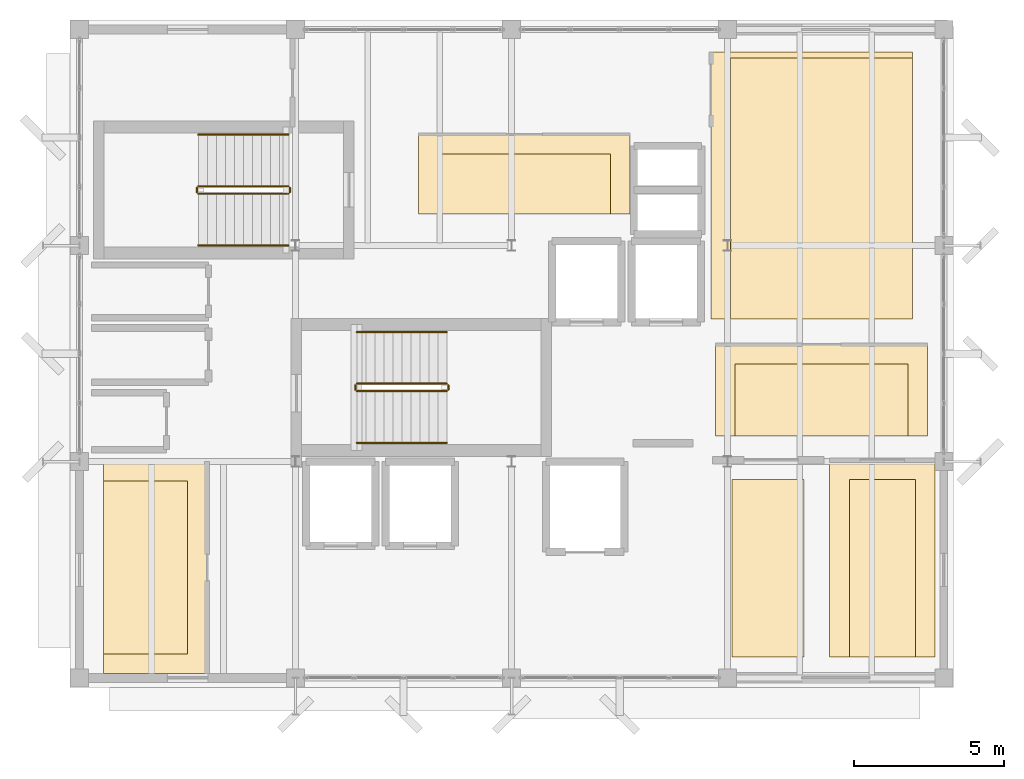
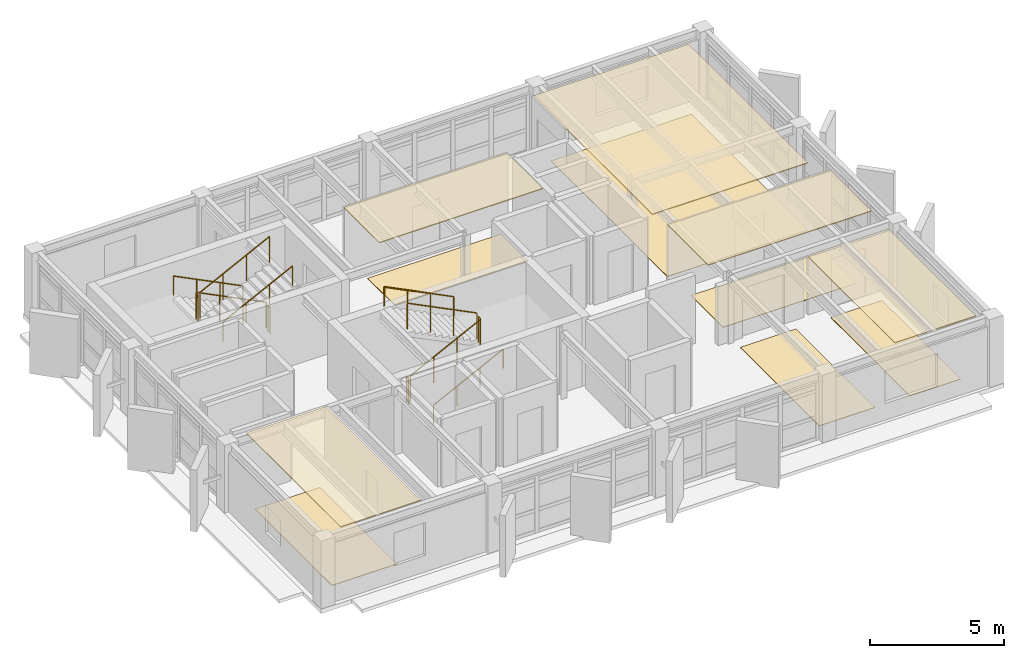
# One storey, part 15 of 15: 12 railings, 11 coverings.
"""IFC4 building model written with IfcOpenShell, lengths in metres."""

from ifc_helpers import new_model, si_unit, direction, frame, origin, origin_2d, place, context, subcontext, project, spatial, polyline, circle, outline, extrude, material, layer, layer_set, type_object, element, save


model = new_model("IFC4")

# Units and contexts
model_context = context("Model", 3, precision=1e-05, world=origin(), true_north=direction((0.0, 1.0)))
body_context = subcontext(model_context, "Body", "Model", "MODEL_VIEW")
ifc_project = project(units=[si_unit("LENGTHUNIT", "METRE"), si_unit("AREAUNIT", "SQUARE_METRE"), si_unit("VOLUMEUNIT", "CUBIC_METRE"), si_unit("PLANEANGLEUNIT", "RADIAN"), si_unit("MASSUNIT", "GRAM", prefix="KILO")], contexts=[model_context])

# Site, building, storey
site_placement = place(None, origin())
site = spatial("IfcSite", under=ifc_project, at=site_placement, CompositionType="ELEMENT")
building_placement = place(site_placement, origin())
building = spatial("IfcBuilding", under=site, at=building_placement, Name="Kandorven Conservatory and Botanical Research Centre", CompositionType="ELEMENT")
storey_placement = place(building_placement, frame((0.0, 0.0, 56.10009765625)))
storey = spatial("IfcBuildingStorey", under=building, at=storey_placement, Name="L14", CompositionType="ELEMENT", Elevation=56.10009765625)

# Coverings
ifc_material_1 = material(Name="Perforated mineral-fibre acoustic ceiling tile", Category="gypsum")
ifc_layer_1 = layer(ifc_material_1, 0.0400390625)
ifc_layer_set_1 = layer_set([ifc_layer_1], Name="Perforated mineral-fibre acoustic ceiling tile")
covering_type_1 = type_object("IfcCoveringType", Name="Cov_Ceiling_1", PredefinedType="CEILING", material=ifc_layer_set_1)
covering_1_placement = place(storey_placement, frame((0.0, 0.0, 3.054931640625)))
element("IfcCovering", 1, at=covering_1_placement, inside=storey, type_object=covering_type_1, Name="Suspended acoustic ceiling CLG-01 (Dryland Flora Research Laboratory L14)", PredefinedType="CEILING", context=body_context, shape_type="SweptSolid", body=[
    extrude(outline(polyline([(17.300048828125, 21.449951171875), (24.35009765625, 21.449951171875), (24.35009765625, 24.10009765625), (17.300048828125, 24.10009765625), (17.300048828125, 21.449951171875)])), origin(), (0.0, 0.0, 1.0), 0.0400390625),
])
covering_2_placement = place(storey_placement, frame((0.0, 0.0, 3.054931640625)))
element("IfcCovering", 2, at=covering_2_placement, inside=storey, type_object=covering_type_1, Name="Suspended acoustic ceiling CLG-01 (Seed Ecology Research Studio L14)", PredefinedType="CEILING", context=body_context, shape_type="SweptSolid", body=[
    extrude(outline(polyline([(27.199951171875, 14.050048828125), (34.25, 14.050048828125), (34.25, 17.10009765625), (27.199951171875, 17.10009765625), (27.199951171875, 14.050048828125)])), origin(), (0.0, 0.0, 1.0), 0.0400390625),
])
covering_3_placement = place(storey_placement, frame((0.0, 0.0, 2.637939453125)))
element("IfcCovering", 3, at=covering_3_placement, inside=storey, type_object=covering_type_1, Name="Suspended acoustic ceiling CLG-01 (Arid Zone Ecology Research Laboratory L14)", PredefinedType="CEILING", context=body_context, shape_type="SweptSolid", body=[
    extrude(outline(polyline([(31.0, 6.699951171875), (34.5, 6.699951171875), (34.5, 13.25), (31.0, 13.25), (31.0, 6.699951171875)])), origin(), (0.0, 0.0, 1.0), 0.0400390625),
])
covering_4_placement = place(storey_placement, frame((0.0, 0.0, 3.054931640625)))
element("IfcCovering", 4, at=covering_4_placement, inside=storey, type_object=covering_type_1, Name="Suspended acoustic ceiling CLG-01 (Botanical GIS and Remote Sensing Laboratory L14)", PredefinedType="CEILING", context=body_context, shape_type="SweptSolid", body=[
    extrude(outline(polyline([(27.050048828125, 17.949951171875), (33.75, 17.949951171875), (33.75, 26.85009765625), (27.050048828125, 26.85009765625), (27.050048828125, 17.949951171875)])), origin(), (0.0, 0.0, 1.0), 0.0400390625),
])
covering_5_placement = place(storey_placement, frame((0.0, 0.0, 3.054931640625)))
element("IfcCovering", 5, at=covering_5_placement, inside=storey, type_object=covering_type_1, Name="Suspended acoustic ceiling CLG-01 (Herbarium Research Seminar Room L14)", PredefinedType="CEILING", context=body_context, shape_type="SweptSolid", body=[
    extrude(outline(polyline([(6.800048828125, 6.14990234375), (10.25, 6.14990234375), (10.25, 13.199951171875), (6.800048828125, 13.199951171875), (6.800048828125, 6.14990234375)])), origin(), (0.0, 0.0, 1.0), 0.0400390625),
])
ifc_material_2 = material(Name="Honed Kota stone and epoxy laboratory flooring", Category="masonry")
ifc_layer_2 = layer(ifc_material_2, 0.02490234375)
ifc_layer_set_2 = layer_set([ifc_layer_2], Name="Honed Kota stone and epoxy laboratory flooring")
covering_type_2 = type_object("IfcCoveringType", Name="Cov_Flooring_1", PredefinedType="FLOORING", material=ifc_layer_set_2)
covering_6_placement = place(storey_placement, origin())
element("IfcCovering", 6, at=covering_6_placement, inside=storey, type_object=covering_type_2, Name="Floor finish FLR-01 (Dryland Flora Research Laboratory L14)", PredefinedType="FLOORING", context=body_context, shape_type="SweptSolid", body=[
    extrude(outline(polyline([(17.949951171875, 21.449951171875), (23.699951171875, 21.449951171875), (23.699951171875, 23.449951171875), (17.949951171875, 23.449951171875), (17.949951171875, 21.449951171875)])), origin(), (0.0, 0.0, 1.0), 0.02490234375),
])
covering_7_placement = place(storey_placement, origin())
element("IfcCovering", 7, at=covering_7_placement, inside=storey, type_object=covering_type_2, Name="Floor finish FLR-01 (Seed Ecology Research Studio L14)", PredefinedType="FLOORING", context=body_context, shape_type="SweptSolid", body=[
    extrude(outline(polyline([(27.85009765625, 14.050048828125), (33.60009765625, 14.050048828125), (33.60009765625, 16.449951171875), (27.85009765625, 16.449951171875), (27.85009765625, 14.050048828125)])), origin(), (0.0, 0.0, 1.0), 0.02490234375),
])
covering_8_placement = place(storey_placement, origin())
element("IfcCovering", 8, at=covering_8_placement, inside=storey, type_object=covering_type_2, Name="Floor finish FLR-01 (Regional Flora Herbarium Archive L14)", PredefinedType="FLOORING", context=body_context, shape_type="SweptSolid", body=[
    extrude(outline(polyline([(27.75, 6.699951171875), (30.14990234375, 6.699951171875), (30.14990234375, 12.60009765625), (27.75, 12.60009765625), (27.75, 6.699951171875)])), origin(), (0.0, 0.0, 1.0), 0.02490234375),
])
covering_9_placement = place(storey_placement, origin())
element("IfcCovering", 9, at=covering_9_placement, inside=storey, type_object=covering_type_2, Name="Floor finish FLR-01 (Arid Zone Ecology Research Laboratory L14)", PredefinedType="FLOORING", context=body_context, shape_type="SweptSolid", body=[
    extrude(outline(polyline([(31.64990234375, 6.699951171875), (33.85009765625, 6.699951171875), (33.85009765625, 12.60009765625), (31.64990234375, 12.60009765625), (31.64990234375, 6.699951171875)])), origin(), (0.0, 0.0, 1.0), 0.02490234375),
])
covering_10_placement = place(storey_placement, origin())
element("IfcCovering", 10, at=covering_10_placement, inside=storey, type_object=covering_type_2, Name="Floor finish FLR-01 (Botanical GIS and Remote Sensing Laboratory L14)", PredefinedType="FLOORING", context=body_context, shape_type="SweptSolid", body=[
    extrude(outline(polyline([(27.699951171875, 17.949951171875), (33.75, 17.949951171875), (33.75, 26.64990234375), (27.699951171875, 26.64990234375), (27.699951171875, 17.949951171875)])), origin(), (0.0, 0.0, 1.0), 0.02490234375),
])
covering_11_placement = place(storey_placement, origin())
element("IfcCovering", 11, at=covering_11_placement, inside=storey, type_object=covering_type_2, Name="Floor finish FLR-01 (Herbarium Research Seminar Room L14)", PredefinedType="FLOORING", context=body_context, shape_type="SweptSolid", body=[
    extrude(outline(polyline([(6.800048828125, 6.800048828125), (9.60009765625, 6.800048828125), (9.60009765625, 12.550048828125), (6.800048828125, 12.550048828125), (6.800048828125, 6.800048828125)])), origin(), (0.0, 0.0, 1.0), 0.02490234375),
])

# Railings
ifc_material_3 = material(Name="Steel S355 (IS 2062 E350)", Category="steel")
railing_type_1 = type_object("IfcRailingType", Name="StairGuard_1150", PredefinedType="BALUSTRADE", material=ifc_material_3)
railing_1_placement = place(storey_placement, frame((15.239990234375, 15.550048828125, 0.14990234375)))
element("IfcRailing", 12, at=railing_1_placement, inside=storey, type_object=railing_type_1, Name="L14 ST-T1 stair guard 1", PredefinedType="BALUSTRADE", context=body_context, shape_type="SweptSolid", body=[
    extrude(circle(Radius=0.02392578125, at=origin_2d()), frame((0.0, 0.0, 1.17578125), z_axis=(0.894427191, 0.0, 0.4472135955), x_axis=(0.0, 1.0, 0.0)), (0.0, 0.0, 1.0), 3.35400390625),
    extrude(circle(Radius=0.02099609375, at=origin_2d()), origin(), (0.0, 0.0, 1.0), 1.15185546875),
    extrude(circle(Radius=0.02099609375, at=origin_2d()), frame((1.0, 0.0, 0.5)), (0.0, 0.0, 1.0), 1.15185546875),
    extrude(circle(Radius=0.02099609375, at=origin_2d()), frame((2.0, 0.0, 1.0)), (0.0, 0.0, 1.0), 1.15185546875),
    extrude(circle(Radius=0.02099609375, at=origin_2d()), frame((3.0, 0.0, 1.5)), (0.0, 0.0, 1.0), 1.15185546875),
])
railing_2_placement = place(storey_placement, frame((18.2900390625, 15.60009765625, 1.64990234375)))
element("IfcRailing", 13, at=railing_2_placement, inside=storey, type_object=railing_type_1, Name="L14 ST-T1 stair guard 2", PredefinedType="BALUSTRADE", context=body_context, shape_type="SweptSolid", body=[
    extrude(circle(Radius=0.02392578125, at=origin_2d()), frame((0.0, 0.0, 1.17578125), z_axis=(0.0, 1.0, 0.0), x_axis=(-1.0, 0.0, 0.0)), (0.0, 0.0, 1.0), 0.14990234375),
    extrude(circle(Radius=0.02099609375, at=origin_2d()), origin(), (0.0, 0.0, 1.0), 1.15185546875),
    extrude(circle(Radius=0.02099609375, at=origin_2d()), frame((0.0, 0.14990234375, 0.0)), (0.0, 0.0, 1.0), 1.15185546875),
])
railing_3_placement = place(storey_placement, frame((18.239990234375, 15.800048828125, 1.7998046875)))
element("IfcRailing", 14, at=railing_3_placement, inside=storey, type_object=railing_type_1, Name="L14 ST-T1 stair guard 3", PredefinedType="BALUSTRADE", context=body_context, shape_type="SweptSolid", body=[
    extrude(circle(Radius=0.02392578125, at=origin_2d()), frame((0.0, 0.0, 1.17578125), z_axis=(-0.894427191, 0.0, 0.4472135955), x_axis=(0.0, -1.0, 0.0)), (0.0, 0.0, 1.0), 3.35400390625),
    extrude(circle(Radius=0.02099609375, at=origin_2d()), origin(), (0.0, 0.0, 1.0), 1.15185546875),
    extrude(circle(Radius=0.02099609375, at=origin_2d()), frame((-1.0, 0.0, 0.5)), (0.0, 0.0, 1.0), 1.15185546875),
    extrude(circle(Radius=0.02099609375, at=origin_2d()), frame((-2.0, 0.0, 1.0)), (0.0, 0.0, 1.0), 1.15185546875),
    extrude(circle(Radius=0.02099609375, at=origin_2d()), frame((-3.0, 0.0, 1.5)), (0.0, 0.0, 1.0), 1.15185546875),
])
railing_4_placement = place(storey_placement, frame((15.18994140625, 15.60009765625, 0.0)))
element("IfcRailing", 15, at=railing_4_placement, inside=storey, type_object=railing_type_1, Name="L14 ST-T1 stair guard 4", PredefinedType="BALUSTRADE", context=body_context, shape_type="SweptSolid", body=[
    extrude(circle(Radius=0.02392578125, at=origin_2d()), frame((0.0, 0.0, 1.17578125), z_axis=(0.0, 1.0, 0.0), x_axis=(-1.0, 0.0, 0.0)), (0.0, 0.0, 1.0), 0.14990234375),
    extrude(circle(Radius=0.02099609375, at=origin_2d()), origin(), (0.0, 0.0, 1.0), 1.15185546875),
    extrude(circle(Radius=0.02099609375, at=origin_2d()), frame((0.0, 0.14990234375, 0.0)), (0.0, 0.0, 1.0), 1.15185546875),
])
railing_5_placement = place(storey_placement, frame((12.9599609375, 22.3798828125, 0.14990234375)))
element("IfcRailing", 16, at=railing_5_placement, inside=storey, type_object=railing_type_1, Name="L14 ST-T2 stair guard 1", PredefinedType="BALUSTRADE", context=body_context, shape_type="SweptSolid", body=[
    extrude(circle(Radius=0.02392578125, at=origin_2d()), frame((0.0, 0.0, 1.17578125), z_axis=(-0.894427191, 0.0, 0.4472135955), x_axis=(0.0, -1.0, 0.0)), (0.0, 0.0, 1.0), 3.35400390625),
    extrude(circle(Radius=0.02099609375, at=origin_2d()), origin(), (0.0, 0.0, 1.0), 1.15185546875),
    extrude(circle(Radius=0.02099609375, at=origin_2d()), frame((-1.0, 0.0, 0.5)), (0.0, 0.0, 1.0), 1.15185546875),
    extrude(circle(Radius=0.02099609375, at=origin_2d()), frame((-2.0, 0.0, 1.0)), (0.0, 0.0, 1.0), 1.15185546875),
    extrude(circle(Radius=0.02099609375, at=origin_2d()), frame((-3.0, 0.0, 1.5)), (0.0, 0.0, 1.0), 1.15185546875),
])
railing_6_placement = place(storey_placement, frame((9.909912109375, 22.330078125, 1.64990234375)))
element("IfcRailing", 17, at=railing_6_placement, inside=storey, type_object=railing_type_1, Name="L14 ST-T2 stair guard 2", PredefinedType="BALUSTRADE", context=body_context, shape_type="SweptSolid", body=[
    extrude(circle(Radius=0.02392578125, at=origin_2d()), frame((0.0, 0.0, 1.17578125), z_axis=(0.0, -1.0, 0.0), x_axis=(1.0, 0.0, 0.0)), (0.0, 0.0, 1.0), 0.150146484375),
    extrude(circle(Radius=0.02099609375, at=origin_2d()), origin(), (0.0, 0.0, 1.0), 1.15185546875),
    extrude(circle(Radius=0.02099609375, at=origin_2d()), frame((0.0, -0.150146484375, 0.0)), (0.0, 0.0, 1.0), 1.15185546875),
])
railing_7_placement = place(storey_placement, frame((9.9599609375, 22.1298828125, 1.7998046875)))
element("IfcRailing", 18, at=railing_7_placement, inside=storey, type_object=railing_type_1, Name="L14 ST-T2 stair guard 3", PredefinedType="BALUSTRADE", context=body_context, shape_type="SweptSolid", body=[
    extrude(circle(Radius=0.02392578125, at=origin_2d()), frame((0.0, 0.0, 1.17578125), z_axis=(0.894427191, 0.0, 0.4472135955), x_axis=(0.0, 1.0, 0.0)), (0.0, 0.0, 1.0), 3.35400390625),
    extrude(circle(Radius=0.02099609375, at=origin_2d()), origin(), (0.0, 0.0, 1.0), 1.15185546875),
    extrude(circle(Radius=0.02099609375, at=origin_2d()), frame((1.0, 0.0, 0.5)), (0.0, 0.0, 1.0), 1.15185546875),
    extrude(circle(Radius=0.02099609375, at=origin_2d()), frame((2.0, 0.0, 1.0)), (0.0, 0.0, 1.0), 1.15185546875),
    extrude(circle(Radius=0.02099609375, at=origin_2d()), frame((3.0, 0.0, 1.5)), (0.0, 0.0, 1.0), 1.15185546875),
])
railing_8_placement = place(storey_placement, frame((13.010009765625, 22.330078125, 0.0)))
element("IfcRailing", 19, at=railing_8_placement, inside=storey, type_object=railing_type_1, Name="L14 ST-T2 stair guard 4", PredefinedType="BALUSTRADE", context=body_context, shape_type="SweptSolid", body=[
    extrude(circle(Radius=0.02392578125, at=origin_2d()), frame((0.0, 0.0, 1.17578125), z_axis=(0.0, -1.0, 0.0), x_axis=(1.0, 0.0, 0.0)), (0.0, 0.0, 1.0), 0.150146484375),
    extrude(circle(Radius=0.02099609375, at=origin_2d()), origin(), (0.0, 0.0, 1.0), 1.15185546875),
    extrude(circle(Radius=0.02099609375, at=origin_2d()), frame((0.0, -0.150146484375, 0.0)), (0.0, 0.0, 1.0), 1.15185546875),
])
ifc_material_4 = material(Name="Steel S355 (IS 2062 E350)", Category="steel")
railing_type_2 = type_object("IfcRailingType", Name="StairHandrail_900", PredefinedType="HANDRAIL", material=ifc_material_4)
railing_9_placement = place(storey_placement, frame((15.239990234375, 13.830078125, 0.14990234375)))
element("IfcRailing", 20, at=railing_9_placement, inside=storey, type_object=railing_type_2, Name="L14 ST-T1 stair handrail 1", PredefinedType="HANDRAIL", context=body_context, shape_type="SweptSolid", body=[
    extrude(circle(Radius=0.02392578125, at=origin_2d()), frame((0.0, 0.0, 0.8759765625), z_axis=(0.894427191, 0.0, 0.4472135955), x_axis=(0.0, 1.0, 0.0)), (0.0, 0.0, 1.0), 3.35400390625),
    extrude(circle(Radius=0.02099609375, at=origin_2d()), origin(), (0.0, 0.0, 1.0), 0.851806640625),
    extrude(circle(Radius=0.02099609375, at=origin_2d()), frame((1.0, 0.0, 0.5)), (0.0, 0.0, 1.0), 0.851806640625),
    extrude(circle(Radius=0.02099609375, at=origin_2d()), frame((2.0, 0.0, 1.0)), (0.0, 0.0, 1.0), 0.851806640625),
    extrude(circle(Radius=0.02099609375, at=origin_2d()), frame((3.0, 0.0, 1.5)), (0.0, 0.0, 1.0), 0.851806640625),
])
for number, where, name in (
    (21, (18.239990234375, 17.52001953125, 1.7998046875), "L14 ST-T1 stair handrail 2"),
    (22, (12.9599609375, 24.10009765625, 0.14990234375), "L14 ST-T2 stair handrail 1"),
):
    element("IfcRailing", number, at=place(storey_placement, frame(where)), inside=storey, type_object=railing_type_2, Name=name, PredefinedType="HANDRAIL", context=body_context, shape_type="SweptSolid", body=[
        extrude(circle(Radius=0.02392578125, at=origin_2d()), frame((0.0, 0.0, 0.8759765625), z_axis=(-0.894427191, 0.0, 0.4472135955), x_axis=(0.0, -1.0, 0.0)), (0.0, 0.0, 1.0), 3.35400390625),
        extrude(circle(Radius=0.02099609375, at=origin_2d()), origin(), (0.0, 0.0, 1.0), 0.851806640625),
        extrude(circle(Radius=0.02099609375, at=origin_2d()), frame((-1.0, 0.0, 0.5)), (0.0, 0.0, 1.0), 0.851806640625),
        extrude(circle(Radius=0.02099609375, at=origin_2d()), frame((-2.0, 0.0, 1.0)), (0.0, 0.0, 1.0), 0.851806640625),
        extrude(circle(Radius=0.02099609375, at=origin_2d()), frame((-3.0, 0.0, 1.5)), (0.0, 0.0, 1.0), 0.851806640625),
    ])
railing_10_placement = place(storey_placement, frame((9.9599609375, 20.409912109375, 1.7998046875)))
element("IfcRailing", 23, at=railing_10_placement, inside=storey, type_object=railing_type_2, Name="L14 ST-T2 stair handrail 2", PredefinedType="HANDRAIL", context=body_context, shape_type="SweptSolid", body=[
    extrude(circle(Radius=0.02392578125, at=origin_2d()), frame((0.0, 0.0, 0.8759765625), z_axis=(0.894427191, 0.0, 0.4472135955), x_axis=(0.0, 1.0, 0.0)), (0.0, 0.0, 1.0), 3.35400390625),
    extrude(circle(Radius=0.02099609375, at=origin_2d()), origin(), (0.0, 0.0, 1.0), 0.851806640625),
    extrude(circle(Radius=0.02099609375, at=origin_2d()), frame((1.0, 0.0, 0.5)), (0.0, 0.0, 1.0), 0.851806640625),
    extrude(circle(Radius=0.02099609375, at=origin_2d()), frame((2.0, 0.0, 1.0)), (0.0, 0.0, 1.0), 0.851806640625),
    extrude(circle(Radius=0.02099609375, at=origin_2d()), frame((3.0, 0.0, 1.5)), (0.0, 0.0, 1.0), 0.851806640625),
])

save(model, "model.ifc")
